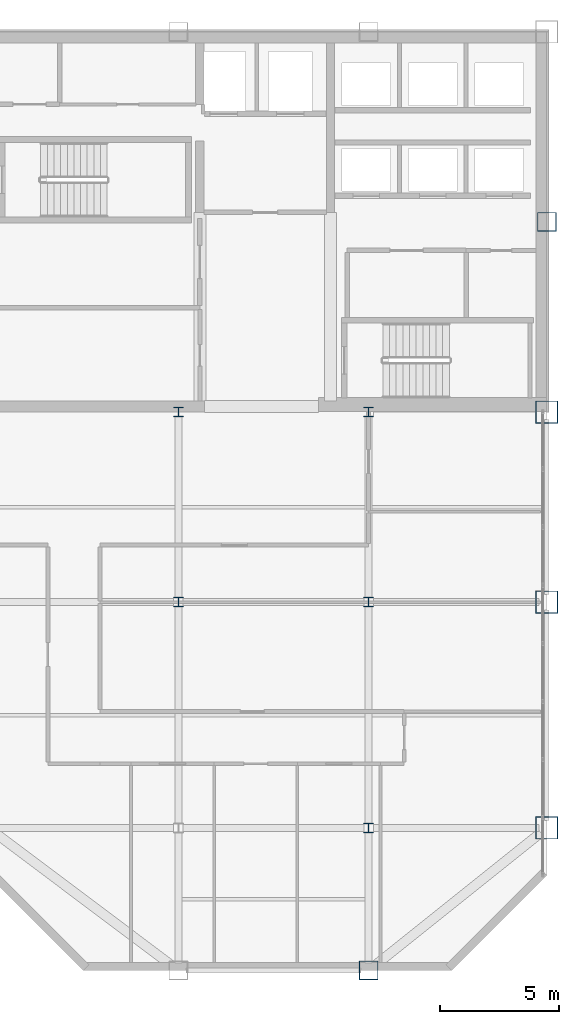
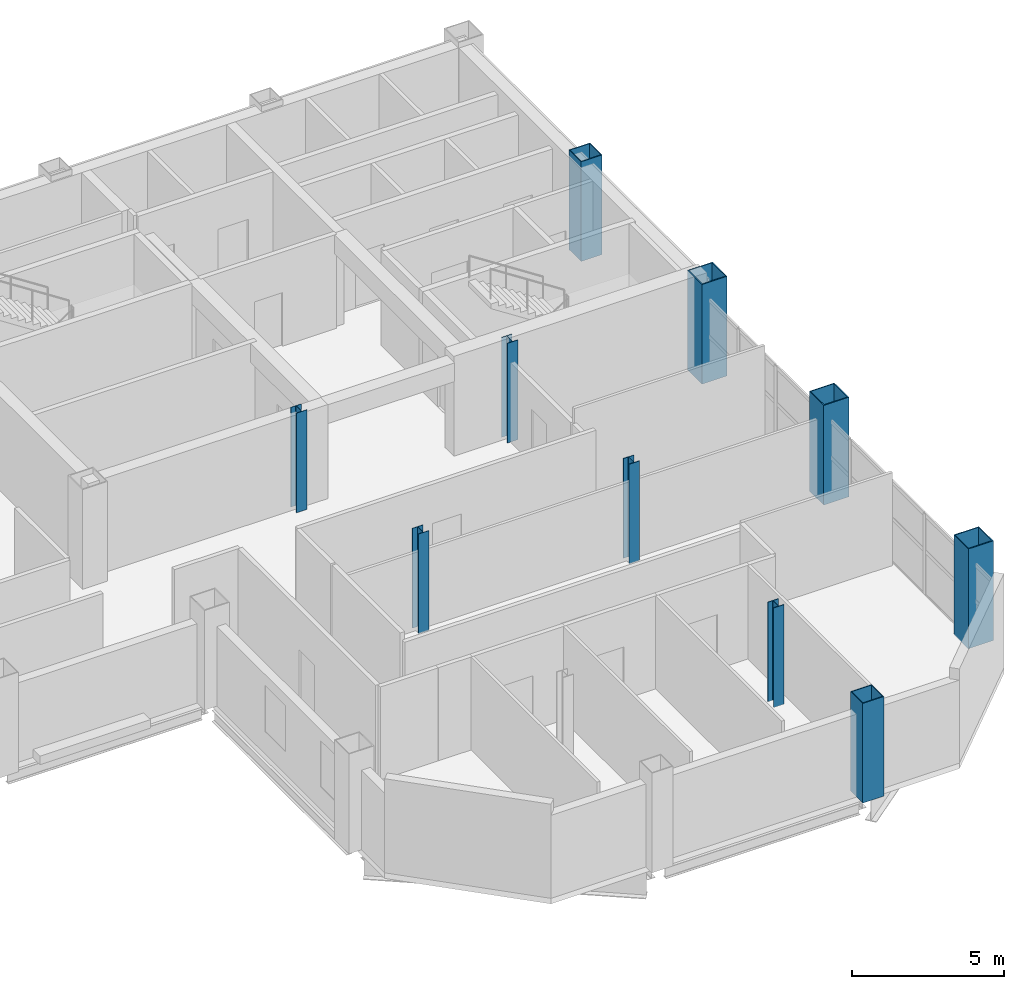
# One storey, part 2 of 12: 10 columns.
"""IFC4 building model written with IfcOpenShell, lengths in metres."""

from ifc_helpers import new_model, si_unit, direction, frame, origin, origin_2d, place, context, subcontext, project, spatial, hollow_rectangle, i_section, extrude, material, material_profile, profile_set, type_object, element, save


model = new_model("IFC4")

# Units and contexts
model_context = context("Model", 3, precision=1e-05, world=origin(), true_north=direction((0.0, 1.0)))
body_context = subcontext(model_context, "Body", "Model", "MODEL_VIEW")
ifc_project = project(units=[si_unit("LENGTHUNIT", "METRE"), si_unit("AREAUNIT", "SQUARE_METRE"), si_unit("VOLUMEUNIT", "CUBIC_METRE"), si_unit("PLANEANGLEUNIT", "RADIAN"), si_unit("MASSUNIT", "GRAM", prefix="KILO")], contexts=[model_context])

# Site, building, storey
site_placement = place(None, origin())
site = spatial("IfcSite", under=ifc_project, at=site_placement, CompositionType="ELEMENT")
building_placement = place(site_placement, origin())
building = spatial("IfcBuilding", under=site, at=building_placement, Name="Qianrong Seaharbour Tower", CompositionType="ELEMENT")
storey_placement = place(building_placement, frame((0.0, 0.0, 213.800048828125)))
storey = spatial("IfcBuildingStorey", under=building, at=storey_placement, Name="L51", CompositionType="ELEMENT", Elevation=213.800048828125)

# Columns
ifc_material = material(Name="Structural steel SN490B", Category="steel")
ifc_material_profile_1 = material_profile(ifc_material, hollow_rectangle(XDim=0.949951171875, YDim=0.949951171875, WallThickness=0.035888671875, at=origin_2d()), Name="BOX950x950x36")
ifc_profile_set_1 = profile_set([ifc_material_profile_1], Name="Structural steel SN490B")
column_type_1 = type_object("IfcColumnType", Name="COL-CFT-950", PredefinedType="COLUMN", material=ifc_profile_set_1)
for number, where, z_axis, x_axis, name in (
    (1, (64.0, 18.5, 0.0), (0.0, 0.0, 1.0), (1.0, 0.0, 0.0), "L51 Column MC-4 at G9/GD"),
    (2, (64.0, 28.0, 0.0), (0.0, 0.0, 1.0), (1.0, 0.0, 0.0), "L51 Column MC-4 at G9/GE"),
    (3, (64.0, 36.0, 0.0), (0.0, 0.0, 1.0), (1.0, 0.0, 0.0), "L51 Column MC-4 at G9/GF"),
):
    element("IfcColumn", number, at=place(storey_placement, frame(where, z_axis=z_axis, x_axis=x_axis)), inside=storey, type_object=column_type_1, Name=name, PredefinedType="COLUMN", context=body_context, shape_type="SweptSolid", body=[
        extrude(hollow_rectangle(XDim=0.949951171875, YDim=0.949951171875, WallThickness=0.035888671875, at=origin_2d()), origin(), (0.0, 0.0, 1.0), 4.0),
    ])
ifc_material_profile_2 = material_profile(ifc_material, i_section(OverallWidth=0.39990234375, OverallDepth=0.39990234375, WebThickness=0.012939453125, FlangeThickness=0.02099609375, FilletRadius=0.02197265625, at=origin_2d()), Name="H400x400x13x21")
ifc_profile_set_2 = profile_set([ifc_material_profile_2], Name="Structural steel SN490B")
column_type_2 = type_object("IfcColumnType", Name="COL-INT-H400", PredefinedType="COLUMN", material=ifc_profile_set_2)
for number, where, z_axis, x_axis, name in (
    (4, (48.5, 28.0, 0.0), (0.0, 0.0, 1.0), (1.0, 0.0, 0.0), "L51 Column IC-3 at G7/GE"),
    (5, (48.5, 36.0, 0.0), (0.0, 0.0, 1.0), (1.0, 0.0, 0.0), "L51 Column IC-3 at G7/GF"),
    (6, (56.5, 18.5, 0.0), (0.0, 0.0, 1.0), (1.0, 0.0, 0.0), "L51 Column IC-3 at G8/GD"),
    (7, (56.5, 28.0, 0.0), (0.0, 0.0, 1.0), (1.0, 0.0, 0.0), "L51 Column IC-3 at G8/GE"),
    (8, (56.5, 36.0, 0.0), (0.0, 0.0, 1.0), (1.0, 0.0, 0.0), "L51 Column IC-3 at G8/GF"),
):
    element("IfcColumn", number, at=place(storey_placement, frame(where, z_axis=z_axis, x_axis=x_axis)), inside=storey, type_object=column_type_2, Name=name, PredefinedType="COLUMN", context=body_context, shape_type="SweptSolid", body=[
        extrude(i_section(OverallWidth=0.39990234375, OverallDepth=0.39990234375, WebThickness=0.012939453125, FlangeThickness=0.02099609375, FilletRadius=0.02197265625, at=origin_2d()), origin(), (0.0, 0.0, 1.0), 4.0),
    ])
ifc_material_profile_3 = material_profile(ifc_material, hollow_rectangle(XDim=0.800048828125, YDim=0.800048828125, WallThickness=0.031982421875, at=origin_2d()), Name="BOX800x800x32")
ifc_profile_set_3 = profile_set([ifc_material_profile_3], Name="Structural steel SN490B")
column_type_3 = type_object("IfcColumnType", Name="COL-PER-800", PredefinedType="COLUMN", material=ifc_profile_set_3)
for number, where, z_axis, x_axis, name in (
    (9, (56.5, 12.5, 0.0), (0.0, 0.0, 1.0), (1.0, 0.0, 0.0), "L51 Column PC-3 at G8/GC"),
    (10, (64.0, 44.0, 0.0), (0.0, 0.0, 1.0), (1.0, 0.0, 0.0), "L51 Column PC-3 at G9/GG"),
):
    element("IfcColumn", number, at=place(storey_placement, frame(where, z_axis=z_axis, x_axis=x_axis)), inside=storey, type_object=column_type_3, Name=name, PredefinedType="COLUMN", context=body_context, shape_type="SweptSolid", body=[
        extrude(hollow_rectangle(XDim=0.800048828125, YDim=0.800048828125, WallThickness=0.031982421875, at=origin_2d()), origin(), (0.0, 0.0, 1.0), 4.0),
    ])

save(model, "model.ifc")
